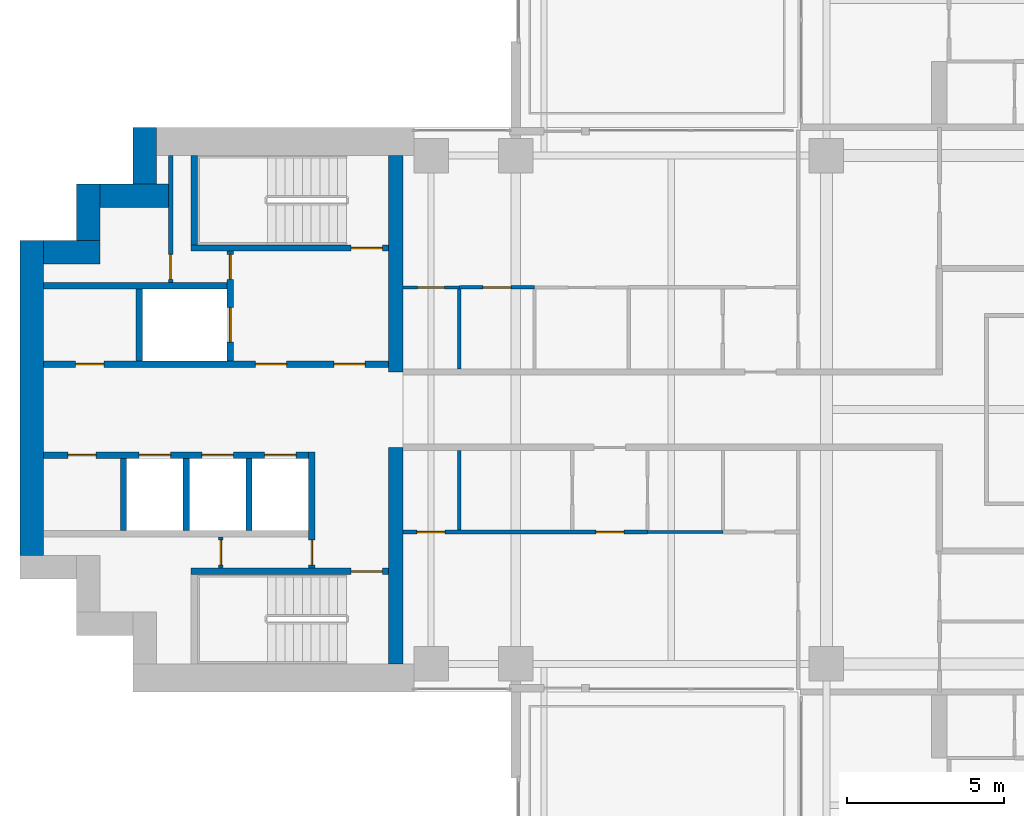
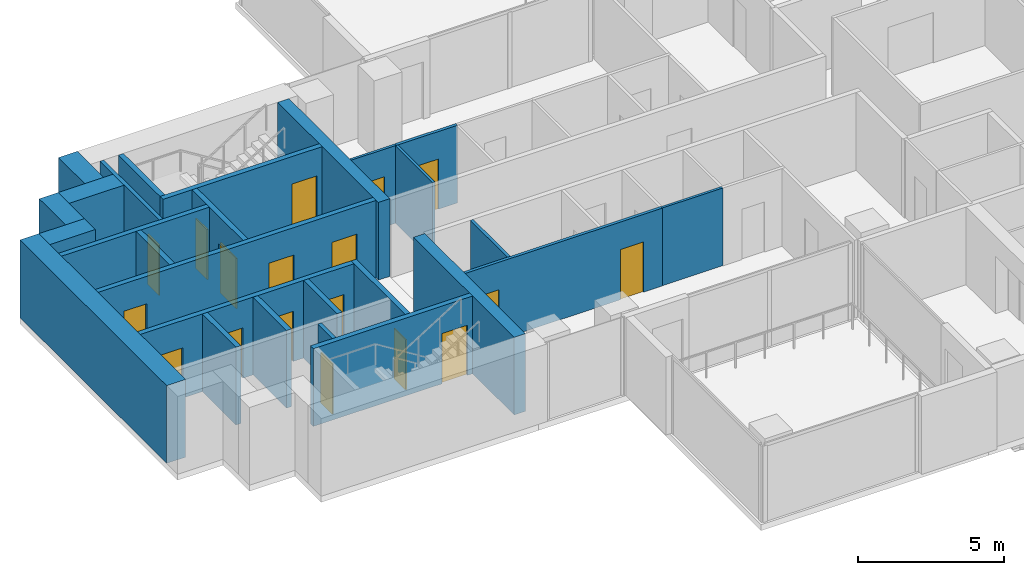
# One storey, part 9 of 19: 27 walls, 18 doors, 18 openings.
"""IFC4 building model written with IfcOpenShell, lengths in metres."""

from ifc_helpers import new_model, si_unit, direction, frame, frame_2d, origin, place, context, subcontext, project, spatial, rectangle, extrude, material, layer, layer_set, type_object, element, fill, save


model = new_model("IFC4")

# Units and contexts
model_context = context("Model", 3, precision=1e-05, world=origin(), true_north=direction((0.0, 1.0)))
body_context = subcontext(model_context, "Body", "Model", "MODEL_VIEW")
ifc_project = project(units=[si_unit("LENGTHUNIT", "METRE"), si_unit("AREAUNIT", "SQUARE_METRE"), si_unit("VOLUMEUNIT", "CUBIC_METRE"), si_unit("PLANEANGLEUNIT", "RADIAN"), si_unit("MASSUNIT", "GRAM", prefix="KILO")], contexts=[model_context])

# Site, building, storey
site_placement = place(None, origin())
site = spatial("IfcSite", under=ifc_project, at=site_placement, CompositionType="ELEMENT")
building_placement = place(site_placement, origin())
building = spatial("IfcBuilding", under=site, at=building_placement, Name="Perihelion Cross Residences", CompositionType="ELEMENT")
storey_placement = place(building_placement, frame((0.0, 0.0, 144.39990234375)))
storey = spatial("IfcBuildingStorey", under=building, at=storey_placement, Name="L35", CompositionType="ELEMENT", Elevation=144.39990234375)

# Walls
ifc_material_1 = material(Name="Concrete C60/75", Category="concrete")
ifc_layer_1 = layer(ifc_material_1, 0.449951171875)
ifc_layer_set_1 = layer_set([ifc_layer_1], Name="Core wall, inner 450")
wall_type_1 = type_object("IfcWallType", Name="Core wall, inner 450", PredefinedType="SHEAR", material=ifc_layer_set_1)
for number, where, z_axis, x_axis, name in (
    (1, (-21.824951171875, -8.10009765625, 0.0), (0.0, 0.0, 1.0), (0.0, 1.0, 0.0), "West core core wall, inner"),
    (2, (-21.824951171875, 1.199951171875, 0.0), (0.0, 0.0, 1.0), (0.0, 1.0, 0.0), "West core core wall, inner"),
):
    element("IfcWall", number, at=place(storey_placement, frame(where, z_axis=z_axis, x_axis=x_axis)), inside=storey, type_object=wall_type_1, Name=name, PredefinedType="SHEAR", context=body_context, shape_type="SweptSolid", body=[
        extrude(rectangle(XDim=6.900146484375, YDim=0.449951171875, at=frame_2d((3.4501953125, 0.0))), origin(), (0.0, 0.0, 1.0), 3.25),
    ])
ifc_material_2 = material(Name="Concrete C60/75", Category="concrete")
ifc_layer_2 = layer(ifc_material_2, 0.75)
ifc_layer_set_2 = layer_set([ifc_layer_2], Name="Core wall, outer 750")
wall_type_2 = type_object("IfcWallType", Name="Core wall, outer 750", PredefinedType="SHEAR", material=ifc_layer_set_2)
wall_1_placement = place(storey_placement, frame((-33.425048828125, -4.64990234375, 0.0), z_axis=(0.0, 0.0, 1.0), x_axis=(0.0, 1.0, 0.0)))
element("IfcWall", 3, at=wall_1_placement, inside=storey, type_object=wall_type_2, Name="West core core wall, outer", PredefinedType="SHEAR", context=body_context, shape_type="SweptSolid", body=[
    extrude(rectangle(XDim=10.0498046875, YDim=0.75, at=frame_2d((5.02490234375, 0.0))), origin(), (0.0, 0.0, 1.0), 3.25),
])
for number, where, z_axis, x_axis, name in (
    (4, (-33.050048828125, 5.02490234375, 0.0), (0.0, 0.0, 1.0), (1.0, 0.0, 0.0), "West core core wall, outer"),
    (5, (-31.625, 5.39990234375, 0.0), (0.0, 0.0, 1.0), (0.0, 1.0, 0.0), "West core core wall, outer"),
):
    element("IfcWall", number, at=place(storey_placement, frame(where, z_axis=z_axis, x_axis=x_axis)), inside=storey, type_object=wall_type_2, Name=name, PredefinedType="SHEAR", context=body_context, shape_type="SweptSolid", body=[
        extrude(rectangle(XDim=1.800048828125, YDim=0.75, at=frame_2d((0.89990234375, 0.0))), origin(), (0.0, 0.0, 1.0), 3.25),
    ])
wall_2_placement = place(storey_placement, frame((-31.25, 6.824951171875, 0.0), z_axis=(0.0, 0.0, 1.0), x_axis=(1.0, 0.0, 0.0)))
element("IfcWall", 6, at=wall_2_placement, inside=storey, type_object=wall_type_2, Name="West core core wall, outer", PredefinedType="SHEAR", context=body_context, shape_type="SweptSolid", body=[
    extrude(rectangle(XDim=2.175048828125, YDim=0.75, at=frame_2d((1.08740234375, 0.0))), origin(), (0.0, 0.0, 1.0), 3.25),
])
wall_3_placement = place(storey_placement, frame((-29.824951171875, 7.199951171875, 0.0), z_axis=(0.0, 0.0, 1.0), x_axis=(0.0, 1.0, 0.0)))
element("IfcWall", 7, at=wall_3_placement, inside=storey, type_object=wall_type_2, Name="West core core wall, outer", PredefinedType="SHEAR", context=body_context, shape_type="SweptSolid", body=[
    extrude(rectangle(XDim=1.800048828125, YDim=0.75, at=frame_2d((0.89990234375, 0.0))), origin(), (0.0, 0.0, 1.0), 3.25),
])

# Wall, opening, door
ifc_material_3 = material(Name="Concrete C50/60", Category="concrete")
ifc_layer_3 = layer(ifc_material_3, 0.199951171875)
ifc_layer_set_3 = layer_set([ifc_layer_3], Name="Lobby wall 200")
wall_type_3 = type_object("IfcWallType", Name="Lobby wall 200", PredefinedType="SOLIDWALL", material=ifc_layer_set_3)
wall_4_placement = place(storey_placement, frame((-24.5, -5.050048828125, 0.0), z_axis=(0.0, 0.0, 1.0), x_axis=(0.0, 1.0, 0.0)))
wall_4 = element("IfcWall", 8, at=wall_4_placement, inside=storey, type_object=wall_type_3, Name="West core lobby wall", PredefinedType="SOLIDWALL", context=body_context, shape_type="SweptSolid", body=[
    extrude(rectangle(XDim=3.699951171875, YDim=0.199951171875, at=frame_2d((1.85009765625, 0.0))), origin(), (0.0, 0.0, 1.0), 3.25),
])
opening_1_placement = place(wall_4_placement, frame((0.10009765625, 0.0, 0.0)))
opening_1 = element("IfcOpeningElement", 9, at=opening_1_placement, cuts=wall_4, Name="Opening L35.C22", PredefinedType="OPENING", context=body_context, shape_type="SweptSolid", body=[
    extrude(rectangle(XDim=0.800048828125, YDim=2.10009765625, at=frame_2d((0.39990234375, 1.050048828125))), frame((0.0, 0.10986328125, 0.0), z_axis=(0.0, -1.0, 0.0), x_axis=(1.0, 0.0, 0.0)), (0.0, 0.0, 1.0), 0.219970703125),
])
ifc_material_4 = material(Name="Steel, powder coated", Category="steel")
door_type_1 = type_object("IfcDoorType", Name="Riser door 800", OperationType="SINGLE_SWING_LEFT", PredefinedType="DOOR", material=ifc_material_4)
door_1_placement = place(opening_1_placement, origin())
door_1 = element("IfcDoor", 10, at=door_1_placement, inside=storey, type_object=door_type_1, Name="West core riser door", OperationType="SINGLE_SWING_LEFT", OverallHeight=2.10009765625, OverallWidth=0.800048828125, PredefinedType="DOOR", context=body_context, shape_type="SweptSolid", body=[
    extrude(rectangle(XDim=0.800048828125, YDim=2.10009765625, at=frame_2d((0.39990234375, 1.050048828125))), frame((0.0, 0.02490234375, 0.0), z_axis=(0.0, -1.0, 0.0), x_axis=(1.0, 0.0, 0.0)), (0.0, 0.0, 1.0), 0.050048828125),
])
fill(opening_1, door_1)

ifc_material_5 = material(Name="Plasterboard partition")
ifc_layer_4 = layer(ifc_material_5, 0.1201171875)
ifc_layer_set_4 = layer_set([ifc_layer_4], Name="Partition wall 120")
wall_type_4 = type_object("IfcWallType", Name="Partition wall 120", PredefinedType="PARTITIONING", material=ifc_layer_set_4)
wall_5_placement = place(storey_placement, frame((-19.800048828125, 3.89990234375, 0.0), z_axis=(0.0, 0.0, 1.0), x_axis=(1.0, 0.0, 0.0)))
wall_5 = element("IfcWall", 11, at=wall_5_placement, inside=storey, type_object=wall_type_4, Name="Partition L35 W053", PredefinedType="PARTITIONING", context=body_context, shape_type="SweptSolid", body=[
    extrude(rectangle(XDim=2.400146484375, YDim=0.1201171875, at=frame_2d((1.2001953125, 0.0))), origin(), (0.0, 0.0, 1.0), 3.25),
])
opening_2_placement = place(wall_5_placement, frame((0.75, 0.0, 0.0)))
opening_2 = element("IfcOpeningElement", 12, at=opening_2_placement, cuts=wall_5, Name="Opening L35.A25", PredefinedType="OPENING", context=body_context, shape_type="SweptSolid", body=[
    extrude(rectangle(XDim=0.89990234375, YDim=2.10009765625, at=frame_2d((0.449951171875, 1.050048828125))), frame((0.0, 0.070068359375, 0.0), z_axis=(0.0, -1.0, 0.0), x_axis=(1.0, 0.0, 0.0)), (0.0, 0.0, 1.0), 0.14013671875),
])
ifc_material_6 = material(Name="Timber door leaf", Category="wood")
door_type_2 = type_object("IfcDoorType", Name="Interior room door 900 x 2100", OperationType="SINGLE_SWING_LEFT", PredefinedType="DOOR", material=ifc_material_6)
door_2_placement = place(opening_2_placement, origin())
door_2 = element("IfcDoor", 13, at=door_2_placement, inside=storey, type_object=door_type_2, Name="Door L35.A25", OperationType="SINGLE_SWING_RIGHT", OverallHeight=2.10009765625, OverallWidth=0.89990234375, PredefinedType="DOOR", context=body_context, shape_type="SweptSolid", body=[
    extrude(rectangle(XDim=0.89990234375, YDim=2.10009765625, at=frame_2d((0.449951171875, 1.050048828125))), frame((0.0, 0.02490234375, 0.0), z_axis=(0.0, -1.0, 0.0), x_axis=(1.0, 0.0, 0.0)), (0.0, 0.0, 1.0), 0.050048828125),
])
fill(opening_2, door_2)

# Wall, openings, doors
wall_6_placement = place(storey_placement, frame((-13.800048828125, -3.89990234375, 0.0), z_axis=(0.0, 0.0, 1.0), x_axis=(-1.0, 0.0, 0.0)))
wall_6 = element("IfcWall", 14, at=wall_6_placement, inside=storey, type_object=wall_type_4, Name="Partition L35 W062", PredefinedType="PARTITIONING", context=body_context, shape_type="SweptSolid", body=[
    extrude(rectangle(XDim=7.800048828125, YDim=0.1201171875, at=frame_2d((3.89990234375, 0.0))), origin(), (0.0, 0.0, 1.0), 3.25),
])
opening_3_placement = place(wall_6_placement, frame((6.449951171875, 0.0, 0.0)))
opening_3 = element("IfcOpeningElement", 15, at=opening_3_placement, cuts=wall_6, Name="Opening L35.A30", PredefinedType="OPENING", context=body_context, shape_type="SweptSolid", body=[
    extrude(rectangle(XDim=0.89990234375, YDim=2.10009765625, at=frame_2d((0.449951171875, 1.050048828125))), frame((0.0, 0.070068359375, 0.0), z_axis=(0.0, -1.0, 0.0), x_axis=(1.0, 0.0, 0.0)), (0.0, 0.0, 1.0), 0.14013671875),
])
opening_4_placement = place(wall_6_placement, frame((0.75, 0.0, 0.0)))
opening_4 = element("IfcOpeningElement", 16, at=opening_4_placement, cuts=wall_6, Name="Opening L35.A32", PredefinedType="OPENING", context=body_context, shape_type="SweptSolid", body=[
    extrude(rectangle(XDim=0.89990234375, YDim=2.10009765625, at=frame_2d((0.449951171875, 1.050048828125))), frame((0.0, 0.070068359375, 0.0), z_axis=(0.0, -1.0, 0.0), x_axis=(1.0, 0.0, 0.0)), (0.0, 0.0, 1.0), 0.14013671875),
])
door_3_placement = place(opening_3_placement, origin())
door_3 = element("IfcDoor", 17, at=door_3_placement, inside=storey, type_object=door_type_2, Name="Door L35.A30", OperationType="SINGLE_SWING_LEFT", OverallHeight=2.10009765625, OverallWidth=0.89990234375, PredefinedType="DOOR", context=body_context, shape_type="SweptSolid", body=[
    extrude(rectangle(XDim=0.89990234375, YDim=2.10009765625, at=frame_2d((0.449951171875, 1.050048828125))), frame((0.0, 0.02490234375, 0.0), z_axis=(0.0, -1.0, 0.0), x_axis=(1.0, 0.0, 0.0)), (0.0, 0.0, 1.0), 0.050048828125),
])
fill(opening_3, door_3)
door_4_placement = place(opening_4_placement, origin())
door_4 = element("IfcDoor", 18, at=door_4_placement, inside=storey, type_object=door_type_2, Name="Door L35.A32", OperationType="SINGLE_SWING_LEFT", OverallHeight=2.10009765625, OverallWidth=0.89990234375, PredefinedType="DOOR", context=body_context, shape_type="SweptSolid", body=[
    extrude(rectangle(XDim=0.89990234375, YDim=2.10009765625, at=frame_2d((0.449951171875, 1.050048828125))), frame((0.0, 0.02490234375, 0.0), z_axis=(0.0, -1.0, 0.0), x_axis=(1.0, 0.0, 0.0)), (0.0, 0.0, 1.0), 0.050048828125),
])
fill(opening_4, door_4)

# Wall
wall_7_placement = place(storey_placement, frame((-19.800048828125, -3.840087890625, 0.0), z_axis=(0.0, 0.0, 1.0), x_axis=(0.0, 1.0, 0.0)))
element("IfcWall", 19, at=wall_7_placement, inside=storey, type_object=wall_type_4, Name="Partition L35 W063", PredefinedType="PARTITIONING", context=body_context, shape_type="SweptSolid", body=[
    extrude(rectangle(XDim=2.5400390625, YDim=0.1201171875, at=frame_2d((1.27001953125, 0.0))), origin(), (0.0, 0.0, 1.0), 3.25),
])

# Wall, opening, door
ifc_material_7 = material(Name="Fire-rated board on steel stud", Category="steel")
ifc_layer_5 = layer(ifc_material_7, 0.14990234375)
ifc_layer_set_5 = layer_set([ifc_layer_5], Name="Riser wall 150")
wall_type_5 = type_object("IfcWallType", Name="Riser wall 150", PredefinedType="PARTITIONING", material=ifc_layer_set_5)
wall_8_placement = place(storey_placement, frame((-29.0, 4.050048828125, 0.0), z_axis=(0.0, 0.0, 1.0), x_axis=(0.0, 1.0, 0.0)))
wall_8 = element("IfcWall", 20, at=wall_8_placement, inside=storey, type_object=wall_type_5, Name="West core riser wall", PredefinedType="PARTITIONING", context=body_context, shape_type="SweptSolid", body=[
    extrude(rectangle(XDim=4.050048828125, YDim=0.14990234375, at=frame_2d((2.02490234375, 0.0))), origin(), (0.0, 0.0, 1.0), 3.25),
])
opening_5_placement = place(wall_8_placement, frame((0.10009765625, 0.0, 0.0)))
opening_5 = element("IfcOpeningElement", 21, at=opening_5_placement, cuts=wall_8, Name="Opening L35.C26", PredefinedType="OPENING", context=body_context, shape_type="SweptSolid", body=[
    extrude(rectangle(XDim=0.800048828125, YDim=2.10009765625, at=frame_2d((0.39990234375, 1.050048828125))), frame((0.0, 0.0849609375, 0.0), z_axis=(0.0, -1.0, 0.0), x_axis=(1.0, 0.0, 0.0)), (0.0, 0.0, 1.0), 0.169921875),
])
door_5_placement = place(opening_5_placement, origin())
door_5 = element("IfcDoor", 22, at=door_5_placement, inside=storey, type_object=door_type_1, Name="West core riser door", OperationType="SINGLE_SWING_LEFT", OverallHeight=2.10009765625, OverallWidth=0.800048828125, PredefinedType="DOOR", context=body_context, shape_type="SweptSolid", body=[
    extrude(rectangle(XDim=0.800048828125, YDim=2.10009765625, at=frame_2d((0.39990234375, 1.050048828125))), frame((0.0, 0.02490234375, 0.0), z_axis=(0.0, -1.0, 0.0), x_axis=(1.0, 0.0, 0.0)), (0.0, 0.0, 1.0), 0.050048828125),
])
fill(opening_5, door_5)

wall_9_placement = place(storey_placement, frame((-27.39990234375, -5.050048828125, 0.0), z_axis=(0.0, 0.0, 1.0), x_axis=(0.0, 1.0, 0.0)))
wall_9 = element("IfcWall", 23, at=wall_9_placement, inside=storey, type_object=wall_type_5, Name="West core riser wall", PredefinedType="PARTITIONING", context=body_context, shape_type="SweptSolid", body=[
    extrude(rectangle(XDim=1.0, YDim=0.14990234375, at=frame_2d((0.5, 0.0))), origin(), (0.0, 0.0, 1.0), 3.25),
])
opening_6_placement = place(wall_9_placement, frame((0.10009765625, 0.0, 0.0)))
opening_6 = element("IfcOpeningElement", 24, at=opening_6_placement, cuts=wall_9, Name="Opening L35.C25", PredefinedType="OPENING", context=body_context, shape_type="SweptSolid", body=[
    extrude(rectangle(XDim=0.800048828125, YDim=2.10009765625, at=frame_2d((0.39990234375, 1.050048828125))), frame((0.0, 0.0849609375, 0.0), z_axis=(0.0, -1.0, 0.0), x_axis=(1.0, 0.0, 0.0)), (0.0, 0.0, 1.0), 0.169921875),
])
door_6_placement = place(opening_6_placement, origin())
door_6 = element("IfcDoor", 25, at=door_6_placement, inside=storey, type_object=door_type_1, Name="West core riser door", OperationType="SINGLE_SWING_LEFT", OverallHeight=2.10009765625, OverallWidth=0.800048828125, PredefinedType="DOOR", context=body_context, shape_type="SweptSolid", body=[
    extrude(rectangle(XDim=0.800048828125, YDim=2.10009765625, at=frame_2d((0.39990234375, 1.050048828125))), frame((0.0, 0.02490234375, 0.0), z_axis=(0.0, -1.0, 0.0), x_axis=(1.0, 0.0, 0.0)), (0.0, 0.0, 1.0), 0.050048828125),
])
fill(opening_6, door_6)

# Wall, openings, doors
ifc_material_8 = material(Name="Concrete C50/60", Category="concrete")
ifc_layer_6 = layer(ifc_material_8, 0.199951171875)
ifc_layer_set_6 = layer_set([ifc_layer_6], Name="Shaft wall 200")
wall_type_6 = type_object("IfcWallType", Name="Shaft wall 200", PredefinedType="SOLIDWALL", material=ifc_layer_set_6)
wall_10_placement = place(storey_placement, frame((-33.050048828125, 1.449951171875, 0.0), z_axis=(0.0, 0.0, 1.0), x_axis=(1.0, 0.0, 0.0)))
wall_10 = element("IfcWall", 26, at=wall_10_placement, inside=storey, type_object=wall_type_6, Name="West core shaft wall", PredefinedType="SOLIDWALL", context=body_context, shape_type="SweptSolid", body=[
    extrude(rectangle(XDim=11.0, YDim=0.199951171875, at=frame_2d((5.5, 0.0))), origin(), (0.0, 0.0, 1.0), 3.25),
])
opening_7_placement = place(wall_10_placement, frame((9.25, 0.0, 0.0)))
opening_7 = element("IfcOpeningElement", 27, at=opening_7_placement, cuts=wall_10, Name="Opening L35.C21", PredefinedType="OPENING", context=body_context, shape_type="SweptSolid", body=[
    extrude(rectangle(XDim=1.0, YDim=2.10009765625, at=frame_2d((0.5, 1.050048828125))), frame((0.0, 0.10986328125, 0.0), z_axis=(0.0, -1.0, 0.0), x_axis=(1.0, 0.0, 0.0)), (0.0, 0.0, 1.0), 0.219970703125),
])
opening_8_placement = place(wall_10_placement, frame((6.75, 0.0, 0.0)))
opening_8 = element("IfcOpeningElement", 28, at=opening_8_placement, cuts=wall_10, Name="Opening L35.C23", PredefinedType="OPENING", context=body_context, shape_type="SweptSolid", body=[
    extrude(rectangle(XDim=1.0, YDim=2.10009765625, at=frame_2d((0.5, 1.050048828125))), frame((0.0, 0.10986328125, 0.0), z_axis=(0.0, -1.0, 0.0), x_axis=(1.0, 0.0, 0.0)), (0.0, 0.0, 1.0), 0.219970703125),
])
opening_9_placement = place(wall_10_placement, frame((1.02490234375, 0.0, 0.0)))
opening_9 = element("IfcOpeningElement", 29, at=opening_9_placement, cuts=wall_10, Name="Opening L35.C27", PredefinedType="OPENING", context=body_context, shape_type="SweptSolid", body=[
    extrude(rectangle(XDim=0.89990234375, YDim=2.10009765625, at=frame_2d((0.449951171875, 1.050048828125))), frame((0.0, 0.10986328125, 0.0), z_axis=(0.0, -1.0, 0.0), x_axis=(1.0, 0.0, 0.0)), (0.0, 0.0, 1.0), 0.219970703125),
])
ifc_material_9 = material(Name="Steel, powder coated", Category="steel")
door_type_3 = type_object("IfcDoorType", Name="Lobby door 1000", OperationType="SINGLE_SWING_LEFT", PredefinedType="DOOR", material=ifc_material_9)
door_7_placement = place(opening_7_placement, origin())
door_7 = element("IfcDoor", 30, at=door_7_placement, inside=storey, type_object=door_type_3, Name="West core firefighting lobby door", OperationType="SINGLE_SWING_LEFT", OverallHeight=2.10009765625, OverallWidth=1.0, PredefinedType="DOOR", context=body_context, shape_type="SweptSolid", body=[
    extrude(rectangle(XDim=1.0, YDim=2.10009765625, at=frame_2d((0.5, 1.050048828125))), frame((0.0, 0.02490234375, 0.0), z_axis=(0.0, -1.0, 0.0), x_axis=(1.0, 0.0, 0.0)), (0.0, 0.0, 1.0), 0.050048828125),
])
fill(opening_7, door_7)
door_8_placement = place(opening_8_placement, origin())
door_8 = element("IfcDoor", 31, at=door_8_placement, inside=storey, type_object=door_type_3, Name="West core firefighting lobby door", OperationType="SINGLE_SWING_LEFT", OverallHeight=2.10009765625, OverallWidth=1.0, PredefinedType="DOOR", context=body_context, shape_type="SweptSolid", body=[
    extrude(rectangle(XDim=1.0, YDim=2.10009765625, at=frame_2d((0.5, 1.050048828125))), frame((0.0, 0.02490234375, 0.0), z_axis=(0.0, -1.0, 0.0), x_axis=(1.0, 0.0, 0.0)), (0.0, 0.0, 1.0), 0.050048828125),
])
fill(opening_8, door_8)
ifc_material_10 = material(Name="Steel, powder coated", Category="steel")
door_type_4 = type_object("IfcDoorType", Name="Service room door 900", OperationType="SINGLE_SWING_LEFT", PredefinedType="DOOR", material=ifc_material_10)
door_9_placement = place(opening_9_placement, origin())
door_9 = element("IfcDoor", 32, at=door_9_placement, inside=storey, type_object=door_type_4, Name="West core service room door", OperationType="SINGLE_SWING_LEFT", OverallHeight=2.10009765625, OverallWidth=0.89990234375, PredefinedType="DOOR", context=body_context, shape_type="SweptSolid", body=[
    extrude(rectangle(XDim=0.89990234375, YDim=2.10009765625, at=frame_2d((0.449951171875, 1.050048828125))), frame((0.0, 0.02490234375, 0.0), z_axis=(0.0, -1.0, 0.0), x_axis=(1.0, 0.0, 0.0)), (0.0, 0.0, 1.0), 0.050048828125),
])
fill(opening_9, door_9)

wall_11_placement = place(storey_placement, frame((-33.050048828125, -1.449951171875, 0.0), z_axis=(0.0, 0.0, 1.0), x_axis=(1.0, 0.0, 0.0)))
wall_11 = element("IfcWall", 33, at=wall_11_placement, inside=storey, type_object=wall_type_6, Name="West core shaft wall", PredefinedType="SOLIDWALL", context=body_context, shape_type="SweptSolid", body=[
    extrude(rectangle(XDim=8.449951171875, YDim=0.199951171875, at=frame_2d((4.22509765625, 0.0))), origin(), (0.0, 0.0, 1.0), 3.25),
])
opening_10_placement = place(wall_11_placement, frame((7.050048828125, 0.0, 0.0)))
opening_10 = element("IfcOpeningElement", 34, at=opening_10_placement, cuts=wall_11, Name="Opening L35.C15", PredefinedType="OPENING", context=body_context, shape_type="SweptSolid", body=[
    extrude(rectangle(XDim=1.0, YDim=2.10009765625, at=frame_2d((0.5, 1.050048828125))), frame((0.0, 0.10986328125, 0.0), z_axis=(0.0, -1.0, 0.0), x_axis=(1.0, 0.0, 0.0)), (0.0, 0.0, 1.0), 0.219970703125),
])
opening_11_placement = place(wall_11_placement, frame((5.050048828125, 0.0, 0.0)))
opening_11 = element("IfcOpeningElement", 35, at=opening_11_placement, cuts=wall_11, Name="Opening L35.C17", PredefinedType="OPENING", context=body_context, shape_type="SweptSolid", body=[
    extrude(rectangle(XDim=1.0, YDim=2.10009765625, at=frame_2d((0.5, 1.050048828125))), frame((0.0, 0.10986328125, 0.0), z_axis=(0.0, -1.0, 0.0), x_axis=(1.0, 0.0, 0.0)), (0.0, 0.0, 1.0), 0.219970703125),
])
opening_12_placement = place(wall_11_placement, frame((3.050048828125, 0.0, 0.0)))
opening_12 = element("IfcOpeningElement", 36, at=opening_12_placement, cuts=wall_11, Name="Opening L35.C18", PredefinedType="OPENING", context=body_context, shape_type="SweptSolid", body=[
    extrude(rectangle(XDim=1.0, YDim=2.10009765625, at=frame_2d((0.5, 1.050048828125))), frame((0.0, 0.10986328125, 0.0), z_axis=(0.0, -1.0, 0.0), x_axis=(1.0, 0.0, 0.0)), (0.0, 0.0, 1.0), 0.219970703125),
])
opening_13_placement = place(wall_11_placement, frame((0.77490234375, 0.0, 0.0)))
opening_13 = element("IfcOpeningElement", 37, at=opening_13_placement, cuts=wall_11, Name="Opening L35.C28", PredefinedType="OPENING", context=body_context, shape_type="SweptSolid", body=[
    extrude(rectangle(XDim=0.89990234375, YDim=2.10009765625, at=frame_2d((0.449951171875, 1.050048828125))), frame((0.0, 0.10986328125, 0.0), z_axis=(0.0, -1.0, 0.0), x_axis=(1.0, 0.0, 0.0)), (0.0, 0.0, 1.0), 0.219970703125),
])
ifc_material_11 = material(Name="Stainless steel", Category="steel")
door_type_5 = type_object("IfcDoorType", Name="Landing door 1000", OperationType="DOUBLE_DOOR_SLIDING", PredefinedType="DOOR", material=ifc_material_11)
door_10_placement = place(opening_10_placement, origin())
door_10 = element("IfcDoor", 38, at=door_10_placement, inside=storey, type_object=door_type_5, Name="Landing door, West core high-rise lift 1", OperationType="DOUBLE_DOOR_SLIDING", OverallHeight=2.10009765625, OverallWidth=1.0, PredefinedType="DOOR", context=body_context, shape_type="SweptSolid", body=[
    extrude(rectangle(XDim=1.0, YDim=2.10009765625, at=frame_2d((0.5, 1.050048828125))), frame((0.0, 0.02490234375, 0.0), z_axis=(0.0, -1.0, 0.0), x_axis=(1.0, 0.0, 0.0)), (0.0, 0.0, 1.0), 0.050048828125),
])
fill(opening_10, door_10)
door_11_placement = place(opening_11_placement, origin())
door_11 = element("IfcDoor", 39, at=door_11_placement, inside=storey, type_object=door_type_5, Name="Landing door, West core high-rise lift 2", OperationType="DOUBLE_DOOR_SLIDING", OverallHeight=2.10009765625, OverallWidth=1.0, PredefinedType="DOOR", context=body_context, shape_type="SweptSolid", body=[
    extrude(rectangle(XDim=1.0, YDim=2.10009765625, at=frame_2d((0.5, 1.050048828125))), frame((0.0, 0.02490234375, 0.0), z_axis=(0.0, -1.0, 0.0), x_axis=(1.0, 0.0, 0.0)), (0.0, 0.0, 1.0), 0.050048828125),
])
fill(opening_11, door_11)
door_12_placement = place(opening_12_placement, origin())
door_12 = element("IfcDoor", 40, at=door_12_placement, inside=storey, type_object=door_type_5, Name="Landing door, West core high-rise lift 3", OperationType="DOUBLE_DOOR_SLIDING", OverallHeight=2.10009765625, OverallWidth=1.0, PredefinedType="DOOR", context=body_context, shape_type="SweptSolid", body=[
    extrude(rectangle(XDim=1.0, YDim=2.10009765625, at=frame_2d((0.5, 1.050048828125))), frame((0.0, 0.02490234375, 0.0), z_axis=(0.0, -1.0, 0.0), x_axis=(1.0, 0.0, 0.0)), (0.0, 0.0, 1.0), 0.050048828125),
])
fill(opening_12, door_12)
door_13_placement = place(opening_13_placement, origin())
door_13 = element("IfcDoor", 41, at=door_13_placement, inside=storey, type_object=door_type_4, Name="West core service room door", OperationType="SINGLE_SWING_LEFT", OverallHeight=2.10009765625, OverallWidth=0.89990234375, PredefinedType="DOOR", context=body_context, shape_type="SweptSolid", body=[
    extrude(rectangle(XDim=0.89990234375, YDim=2.10009765625, at=frame_2d((0.449951171875, 1.050048828125))), frame((0.0, 0.02490234375, 0.0), z_axis=(0.0, -1.0, 0.0), x_axis=(1.0, 0.0, 0.0)), (0.0, 0.0, 1.0), 0.050048828125),
])
fill(opening_13, door_13)

# Wall
wall_12_placement = place(storey_placement, frame((-33.050048828125, 3.949951171875, 0.0), z_axis=(0.0, 0.0, 1.0), x_axis=(1.0, 0.0, 0.0)))
element("IfcWall", 42, at=wall_12_placement, inside=storey, type_object=wall_type_6, Name="West core shaft wall", PredefinedType="SOLIDWALL", context=body_context, shape_type="SweptSolid", body=[
    extrude(rectangle(XDim=5.85009765625, YDim=0.199951171875, at=frame_2d((2.925048828125, 0.0))), origin(), (0.0, 0.0, 1.0), 3.25),
])

# Wall, openings, doors
wall_13_placement = place(storey_placement, frame((-27.10009765625, 1.550048828125, 0.0), z_axis=(0.0, 0.0, 1.0), x_axis=(0.0, 1.0, 0.0)))
wall_13 = element("IfcWall", 43, at=wall_13_placement, inside=storey, type_object=wall_type_6, Name="West core shaft wall", PredefinedType="SOLIDWALL", context=body_context, shape_type="SweptSolid", body=[
    extrude(rectangle(XDim=3.5, YDim=0.199951171875, at=frame_2d((1.75, 0.0))), origin(), (0.0, 0.0, 1.0), 3.25),
])
opening_14_placement = place(wall_13_placement, frame((0.60009765625, 0.0, 0.0)))
opening_14 = element("IfcOpeningElement", 44, at=opening_14_placement, cuts=wall_13, Name="Opening L35.C16", PredefinedType="OPENING", context=body_context, shape_type="SweptSolid", body=[
    extrude(rectangle(XDim=1.10009765625, YDim=2.10009765625, at=frame_2d((0.550048828125, 1.050048828125))), frame((0.0, 0.10986328125, 0.0), z_axis=(0.0, -1.0, 0.0), x_axis=(1.0, 0.0, 0.0)), (0.0, 0.0, 1.0), 0.219970703125),
])
opening_15_placement = place(wall_13_placement, frame((2.60009765625, 0.0, 0.0)))
opening_15 = element("IfcOpeningElement", 45, at=opening_15_placement, cuts=wall_13, Name="Opening L35.C24", PredefinedType="OPENING", context=body_context, shape_type="SweptSolid", body=[
    extrude(rectangle(XDim=0.800048828125, YDim=2.10009765625, at=frame_2d((0.39990234375, 1.050048828125))), frame((0.0, 0.10986328125, 0.0), z_axis=(0.0, -1.0, 0.0), x_axis=(1.0, 0.0, 0.0)), (0.0, 0.0, 1.0), 0.219970703125),
])
ifc_material_12 = material(Name="Stainless steel", Category="steel")
door_type_6 = type_object("IfcDoorType", Name="Landing door, firefighting lift 1100", OperationType="DOUBLE_DOOR_SLIDING", PredefinedType="DOOR", material=ifc_material_12)
door_14_placement = place(opening_14_placement, origin())
door_14 = element("IfcDoor", 46, at=door_14_placement, inside=storey, type_object=door_type_6, Name="Landing door, West core firefighting and service lift", OperationType="DOUBLE_DOOR_SLIDING", OverallHeight=2.10009765625, OverallWidth=1.10009765625, PredefinedType="DOOR", context=body_context, shape_type="SweptSolid", body=[
    extrude(rectangle(XDim=1.10009765625, YDim=2.10009765625, at=frame_2d((0.550048828125, 1.050048828125))), frame((0.0, 0.02490234375, 0.0), z_axis=(0.0, -1.0, 0.0), x_axis=(1.0, 0.0, 0.0)), (0.0, 0.0, 1.0), 0.050048828125),
])
fill(opening_14, door_14)
door_15_placement = place(opening_15_placement, origin())
door_15 = element("IfcDoor", 47, at=door_15_placement, inside=storey, type_object=door_type_1, Name="West core riser door", OperationType="SINGLE_SWING_LEFT", OverallHeight=2.10009765625, OverallWidth=0.800048828125, PredefinedType="DOOR", context=body_context, shape_type="SweptSolid", body=[
    extrude(rectangle(XDim=0.800048828125, YDim=2.10009765625, at=frame_2d((0.39990234375, 1.050048828125))), frame((0.0, 0.02490234375, 0.0), z_axis=(0.0, -1.0, 0.0), x_axis=(1.0, 0.0, 0.0)), (0.0, 0.0, 1.0), 0.050048828125),
])
fill(opening_15, door_15)

# Walls
for number, where, z_axis, x_axis, name in (
    (48, (-30.0, 1.550048828125, 0.0), (0.0, 0.0, 1.0), (0.0, 1.0, 0.0), "West core shaft wall"),
    (49, (-26.5, -3.85009765625, 0.0), (0.0, 0.0, 1.0), (0.0, 1.0, 0.0), "West core shaft wall"),
    (50, (-28.5, -3.85009765625, 0.0), (0.0, 0.0, 1.0), (0.0, 1.0, 0.0), "West core shaft wall"),
    (51, (-30.5, -3.85009765625, 0.0), (0.0, 0.0, 1.0), (0.0, 1.0, 0.0), "West core shaft wall"),
):
    element("IfcWall", number, at=place(storey_placement, frame(where, z_axis=z_axis, x_axis=x_axis)), inside=storey, type_object=wall_type_6, Name=name, PredefinedType="SOLIDWALL", context=body_context, shape_type="SweptSolid", body=[
        extrude(rectangle(XDim=2.300048828125, YDim=0.199951171875, at=frame_2d((1.14990234375, 0.0))), origin(), (0.0, 0.0, 1.0), 3.25),
    ])

# Wall, opening, door
ifc_material_13 = material(Name="Concrete C50/60", Category="concrete")
ifc_layer_7 = layer(ifc_material_13, 0.199951171875)
ifc_layer_set_7 = layer_set([ifc_layer_7], Name="Stair wall 200")
wall_type_7 = type_object("IfcWallType", Name="Stair wall 200", PredefinedType="SOLIDWALL", material=ifc_layer_set_7)
wall_14_placement = place(storey_placement, frame((-28.35009765625, 5.14990234375, 0.0), z_axis=(0.0, 0.0, 1.0), x_axis=(1.0, 0.0, 0.0)))
wall_14 = element("IfcWall", 52, at=wall_14_placement, inside=storey, type_object=wall_type_7, Name="West core stair wall", PredefinedType="SOLIDWALL", context=body_context, shape_type="SweptSolid", body=[
    extrude(rectangle(XDim=6.300048828125, YDim=0.199951171875, at=frame_2d((3.14990234375, 0.0))), origin(), (0.0, 0.0, 1.0), 3.25),
])
opening_16_placement = place(wall_14_placement, frame((5.10009765625, 0.0, 0.0)))
opening_16 = element("IfcOpeningElement", 53, at=opening_16_placement, cuts=wall_14, Name="Opening L35.C20", PredefinedType="OPENING", context=body_context, shape_type="SweptSolid", body=[
    extrude(rectangle(XDim=1.0, YDim=2.10009765625, at=frame_2d((0.5, 1.050048828125))), frame((0.0, 0.10986328125, 0.0), z_axis=(0.0, -1.0, 0.0), x_axis=(1.0, 0.0, 0.0)), (0.0, 0.0, 1.0), 0.219970703125),
])
ifc_material_14 = material(Name="Steel, powder coated", Category="steel")
door_type_7 = type_object("IfcDoorType", Name="Stair door 1000", OperationType="SINGLE_SWING_LEFT", PredefinedType="DOOR", material=ifc_material_14)
door_16_placement = place(opening_16_placement, origin())
door_16 = element("IfcDoor", 54, at=door_16_placement, inside=storey, type_object=door_type_7, Name="West core stair door", OperationType="SINGLE_SWING_LEFT", OverallHeight=2.10009765625, OverallWidth=1.0, PredefinedType="DOOR", context=body_context, shape_type="SweptSolid", body=[
    extrude(rectangle(XDim=1.0, YDim=2.10009765625, at=frame_2d((0.5, 1.050048828125))), frame((0.0, 0.02490234375, 0.0), z_axis=(0.0, -1.0, 0.0), x_axis=(1.0, 0.0, 0.0)), (0.0, 0.0, 1.0), 0.050048828125),
])
fill(opening_16, door_16)

wall_15_placement = place(storey_placement, frame((-28.35009765625, -5.14990234375, 0.0), z_axis=(0.0, 0.0, 1.0), x_axis=(1.0, 0.0, 0.0)))
wall_15 = element("IfcWall", 55, at=wall_15_placement, inside=storey, type_object=wall_type_7, Name="West core stair wall", PredefinedType="SOLIDWALL", context=body_context, shape_type="SweptSolid", body=[
    extrude(rectangle(XDim=6.300048828125, YDim=0.199951171875, at=frame_2d((3.14990234375, 0.0))), origin(), (0.0, 0.0, 1.0), 3.25),
])
opening_17_placement = place(wall_15_placement, frame((5.10009765625, 0.0, 0.0)))
opening_17 = element("IfcOpeningElement", 56, at=opening_17_placement, cuts=wall_15, Name="Opening L35.C19", PredefinedType="OPENING", context=body_context, shape_type="SweptSolid", body=[
    extrude(rectangle(XDim=1.0, YDim=2.10009765625, at=frame_2d((0.5, 1.050048828125))), frame((0.0, 0.10986328125, 0.0), z_axis=(0.0, -1.0, 0.0), x_axis=(1.0, 0.0, 0.0)), (0.0, 0.0, 1.0), 0.219970703125),
])
door_17_placement = place(opening_17_placement, origin())
door_17 = element("IfcDoor", 57, at=door_17_placement, inside=storey, type_object=door_type_7, Name="West core stair door", OperationType="SINGLE_SWING_LEFT", OverallHeight=2.10009765625, OverallWidth=1.0, PredefinedType="DOOR", context=body_context, shape_type="SweptSolid", body=[
    extrude(rectangle(XDim=1.0, YDim=2.10009765625, at=frame_2d((0.5, 1.050048828125))), frame((0.0, 0.02490234375, 0.0), z_axis=(0.0, -1.0, 0.0), x_axis=(1.0, 0.0, 0.0)), (0.0, 0.0, 1.0), 0.050048828125),
])
fill(opening_17, door_17)

# Walls
wall_16_placement = place(storey_placement, frame((-28.25, 5.25, 0.0), z_axis=(0.0, 0.0, 1.0), x_axis=(0.0, 1.0, 0.0)))
element("IfcWall", 58, at=wall_16_placement, inside=storey, type_object=wall_type_7, Name="West core stair wall", PredefinedType="SOLIDWALL", context=body_context, shape_type="SweptSolid", body=[
    extrude(rectangle(XDim=2.85009765625, YDim=0.199951171875, at=frame_2d((1.425048828125, 0.0))), origin(), (0.0, 0.0, 1.0), 3.25),
])
ifc_material_15 = material(Name="Plasterboard partition")
ifc_layer_8 = layer(ifc_material_15, 0.10009765625)
ifc_layer_set_8 = layer_set([ifc_layer_8], Name="Wet room wall 100")
wall_type_8 = type_object("IfcWallType", Name="Wet room wall 100", PredefinedType="PARTITIONING", material=ifc_layer_set_8)
wall_17_placement = place(storey_placement, frame((-19.800048828125, 1.300048828125, 0.0), z_axis=(0.0, 0.0, 1.0), x_axis=(0.0, 1.0, 0.0)))
element("IfcWall", 59, at=wall_17_placement, inside=storey, type_object=wall_type_8, Name="Partition L35 W052", PredefinedType="PARTITIONING", context=body_context, shape_type="SweptSolid", body=[
    extrude(rectangle(XDim=2.5400390625, YDim=0.10009765625, at=frame_2d((1.27001953125, 0.0))), origin(), (0.0, 0.0, 1.0), 3.25),
])

# Wall, opening, door
wall_18_placement = place(storey_placement, frame((-21.60009765625, 3.89990234375, 0.0), z_axis=(0.0, 0.0, 1.0), x_axis=(1.0, 0.0, 0.0)))
wall_18 = element("IfcWall", 60, at=wall_18_placement, inside=storey, type_object=wall_type_8, Name="Partition L35 W054", PredefinedType="PARTITIONING", context=body_context, shape_type="SweptSolid", body=[
    extrude(rectangle(XDim=1.800048828125, YDim=0.10009765625, at=frame_2d((0.89990234375, 0.0))), origin(), (0.0, 0.0, 1.0), 3.25),
])
opening_18_placement = place(wall_18_placement, frame((0.47509765625, 0.0, 0.0)))
opening_18 = element("IfcOpeningElement", 61, at=opening_18_placement, cuts=wall_18, Name="Opening L35.A22", PredefinedType="OPENING", context=body_context, shape_type="SweptSolid", body=[
    extrude(rectangle(XDim=0.85009765625, YDim=2.10009765625, at=frame_2d((0.425048828125, 1.050048828125))), frame((0.0, 0.06005859375, 0.0), z_axis=(0.0, -1.0, 0.0), x_axis=(1.0, 0.0, 0.0)), (0.0, 0.0, 1.0), 0.1201171875),
])
ifc_material_16 = material(Name="Timber door leaf", Category="wood")
door_type_8 = type_object("IfcDoorType", Name="Interior bathroom door 850 x 2100", OperationType="SINGLE_SWING_LEFT", PredefinedType="DOOR", material=ifc_material_16)
door_18_placement = place(opening_18_placement, origin())
door_18 = element("IfcDoor", 62, at=door_18_placement, inside=storey, type_object=door_type_8, Name="Door L35.A22", OperationType="SINGLE_SWING_LEFT", OverallHeight=2.10009765625, OverallWidth=0.85009765625, PredefinedType="DOOR", context=body_context, shape_type="SweptSolid", body=[
    extrude(rectangle(XDim=0.85009765625, YDim=2.10009765625, at=frame_2d((0.425048828125, 1.050048828125))), frame((0.0, 0.02490234375, 0.0), z_axis=(0.0, -1.0, 0.0), x_axis=(1.0, 0.0, 0.0)), (0.0, 0.0, 1.0), 0.050048828125),
])
fill(opening_18, door_18)

# Wall
wall_19_placement = place(storey_placement, frame((-11.39990234375, -3.89990234375, 0.0), z_axis=(0.0, 0.0, 1.0), x_axis=(-1.0, 0.0, 0.0)))
element("IfcWall", 63, at=wall_19_placement, inside=storey, type_object=wall_type_8, Name="Partition L35 W060", PredefinedType="PARTITIONING", context=body_context, shape_type="SweptSolid", body=[
    extrude(rectangle(XDim=2.400146484375, YDim=0.10009765625, at=frame_2d((1.2001953125, 0.0))), origin(), (0.0, 0.0, 1.0), 3.25),
])

save(model, "model.ifc")
